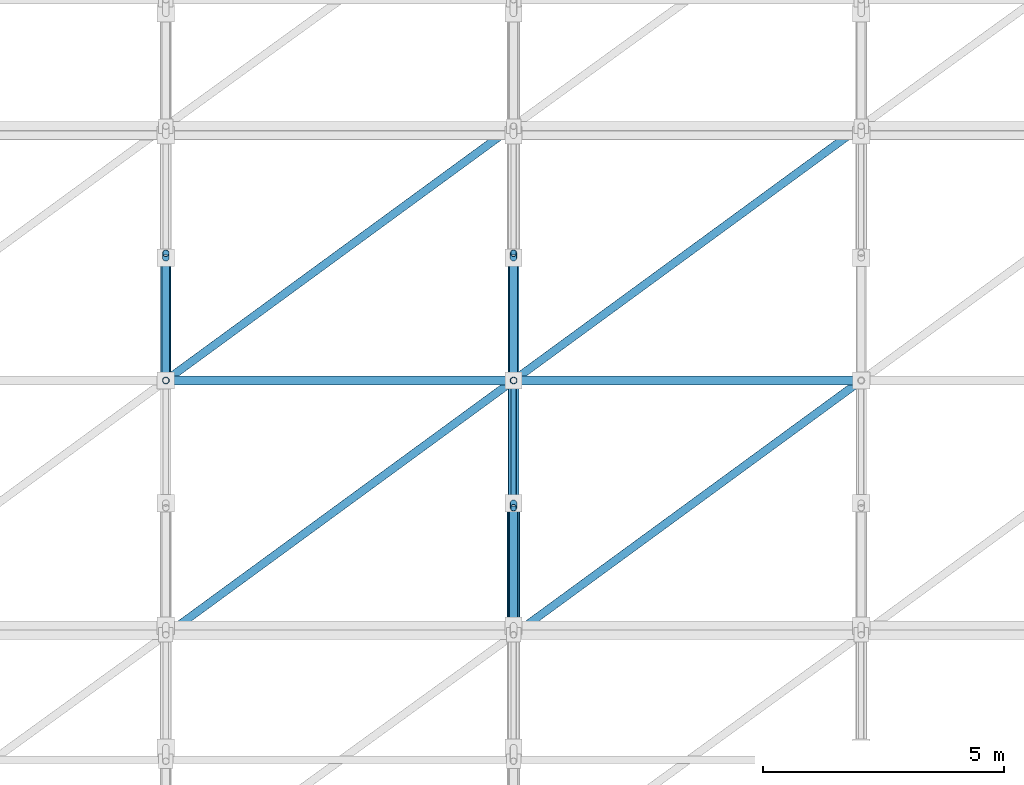
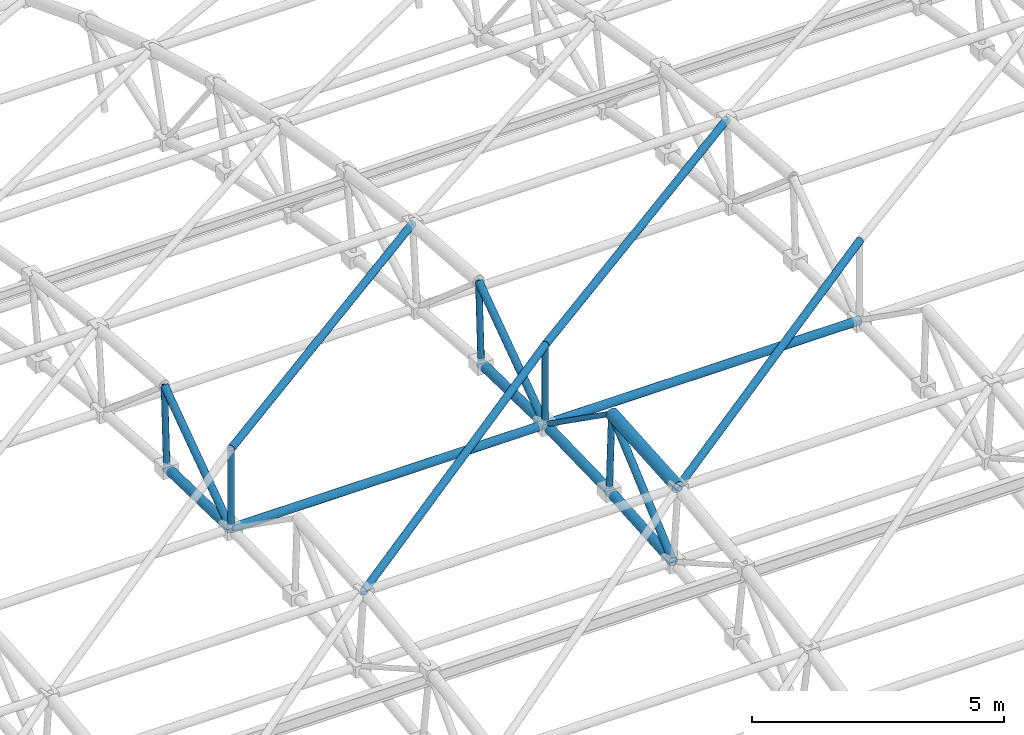
# One storey, part 16 of 41: 20 members.
"""IFC4 building model written with IfcOpenShell, lengths in metres."""

from ifc_helpers import new_model, si_unit, direction, frame, origin, origin_2d, place, context, subcontext, project, spatial, hollow_circle, extrude, material, material_profile, profile_set, type_object, element, save


model = new_model("IFC4")

# Units and contexts
model_context = context("Model", 3, precision=1e-05, world=origin(), true_north=direction((0.0, 1.0)))
body_context = subcontext(model_context, "Body", "Model", "MODEL_VIEW")
ifc_project = project(units=[si_unit("LENGTHUNIT", "METRE"), si_unit("AREAUNIT", "SQUARE_METRE"), si_unit("VOLUMEUNIT", "CUBIC_METRE"), si_unit("PLANEANGLEUNIT", "RADIAN"), si_unit("MASSUNIT", "GRAM", prefix="KILO")], contexts=[model_context])

# Site, building, storey
site_placement = place(None, origin())
site = spatial("IfcSite", under=ifc_project, at=site_placement, CompositionType="ELEMENT")
building_placement = place(site_placement, origin())
building = spatial("IfcBuilding", under=site, at=building_placement, Name="Malvenik Polytechnic", CompositionType="ELEMENT")
storey_placement = place(building_placement, frame((0.0, 0.0, 17.699951171875)))
storey = spatial("IfcBuildingStorey", under=building, at=storey_placement, Name="L04", CompositionType="ELEMENT", Elevation=17.699951171875)

# Members
ifc_material = material(Name="Steel S355J2H", Category="steel")
ifc_material_profile_1 = material_profile(ifc_material, hollow_circle(Radius=0.109619140625, WallThickness=0.010009765625, at=origin_2d()), Name="CHS 219.1x10.0")
ifc_profile_set_1 = profile_set([ifc_material_profile_1], Name="Steel S355J2H")
member_type_1 = type_object("IfcMemberType", Name="STR-MEM-SFB-02", PredefinedType="CHORD", material=ifc_profile_set_1)
for number, where, z_axis, x_axis, name in (
    (1, (156.0, 59.72509765625, 2.155517578125), (0.0, 0.997310938626, 0.073286367738), (-1.0, 0.0, 0.0), "Space-Frame Tube SFB-02 STR-SF-BC-0312"),
    (2, (156.0, 62.261474609375, 2.341796875), (0.0, 0.999700798264, 0.024460456869), (-1.0, 0.0, 0.0), "Space-Frame Tube SFB-02 STR-SF-BC-0314"),
):
    element("IfcMember", number, at=place(storey_placement, frame(where, z_axis=z_axis, x_axis=x_axis)), inside=storey, type_object=member_type_1, Name=name, PredefinedType="CHORD", context=body_context, shape_type="SweptSolid", body=[
        extrude(hollow_circle(Radius=0.109619140625, WallThickness=0.010009765625, at=origin_2d()), origin(), (0.0, 0.0, 1.0), 2.53515625),
    ])
member_1_placement = place(storey_placement, frame((156.0, 64.803955078125, 2.40380859375), z_axis=(0.0, 0.999700855874, -0.024458102234), x_axis=(-1.0, 0.0, 0.0)))
element("IfcMember", 3, at=member_1_placement, inside=storey, type_object=member_type_1, Name="Space-Frame Tube SFB-02 STR-SF-BC-0316", PredefinedType="CHORD", context=body_context, shape_type="SweptSolid", body=[
    extrude(hollow_circle(Radius=0.109619140625, WallThickness=0.010009765625, at=origin_2d()), origin(), (0.0, 0.0, 1.0), 2.535400390625),
])
ifc_material_profile_2 = material_profile(ifc_material, hollow_circle(Radius=0.109619140625, WallThickness=0.008056640625, at=origin_2d()), Name="CHS 219.1x8.0")
ifc_profile_set_2 = profile_set([ifc_material_profile_2], Name="Steel S355J2H")
member_type_2 = type_object("IfcMemberType", Name="STR-MEM-SFB-03", PredefinedType="CHORD", material=ifc_profile_set_2)
member_2_placement = place(storey_placement, frame((148.800048828125, 64.803955078125, 2.40380859375), z_axis=(0.0, 0.999700855874, -0.024458102234), x_axis=(-1.0, 0.0, 0.0)))
element("IfcMember", 4, at=member_2_placement, inside=storey, type_object=member_type_2, Name="Space-Frame Tube SFB-03 STR-SF-BC-0219", PredefinedType="CHORD", context=body_context, shape_type="SweptSolid", body=[
    extrude(hollow_circle(Radius=0.109619140625, WallThickness=0.008056640625, at=origin_2d()), origin(), (0.0, 0.0, 1.0), 2.535400390625),
])
ifc_material_profile_3 = material_profile(ifc_material, hollow_circle(Radius=0.084228515625, WallThickness=0.00634765625, at=origin_2d()), Name="CHS 168.3x6.3")
ifc_profile_set_3 = profile_set([ifc_material_profile_3], Name="Steel S355J2H")
member_type_3 = type_object("IfcMemberType", Name="STR-MEM-SFD-02", PredefinedType="BRACE", material=ifc_profile_set_3)
for number, where, z_axis, x_axis, name in (
    (5, (148.800048828125, 64.80322265625, 2.40625), (0.0, 0.817091860907, 0.576507494175), (-1.0, 0.0, 0.0), "Space-Frame Tube SFD-02 STR-SF-AD-0280"),
    (6, (156.0, 59.72412109375, 2.157958984375), (0.0, 0.756869052153, 0.653566552), (-1.0, 0.0, 0.0), "Space-Frame Tube SFD-02 STR-SF-AD-0375"),
    (7, (156.0, 64.80322265625, 2.40625), (0.0, 0.817091860907, 0.576507494175), (-1.0, 0.0, 0.0), "Space-Frame Tube SFD-02 STR-SF-AD-0377"),
):
    element("IfcMember", number, at=place(storey_placement, frame(where, z_axis=z_axis, x_axis=x_axis)), inside=storey, type_object=member_type_3, Name=name, PredefinedType="BRACE", context=body_context, shape_type="SweptSolid", body=[
        extrude(hollow_circle(Radius=0.084228515625, WallThickness=0.00634765625, at=origin_2d()), origin(), (0.0, 0.0, 1.0), 3.218994140625),
    ])
for number, where, z_axis, x_axis, name in (
    (8, (148.80322265625, 59.535400390625, 4.071044921875), (0.806768013469, 0.590160453498, 0.028913864661), (-0.590407298766, 0.807105458762, 0.0), "Space-Frame Tube SFD-02 STR-SF-SD-0892"),
    (9, (148.80322265625, 64.802490234375, 4.328857421875), (0.806768013469, 0.590160453498, -0.028913864661), (-0.590407298766, 0.807105458762, 0.0), "Space-Frame Tube SFD-02 STR-SF-SD-0893"),
    (10, (156.003173828125, 59.535400390625, 4.071044921875), (0.806768013469, 0.590160453498, 0.028913864661), (-0.590407298766, 0.807105458762, 0.0), "Space-Frame Tube SFD-02 STR-SF-SD-0934"),
    (11, (156.003173828125, 64.802490234375, 4.328857421875), (0.806768013469, 0.590160453498, -0.028913864661), (-0.590407298766, 0.807105458762, 0.0), "Space-Frame Tube SFD-02 STR-SF-SD-0935"),
):
    element("IfcMember", number, at=place(storey_placement, frame(where, z_axis=z_axis, x_axis=x_axis)), inside=storey, type_object=member_type_3, Name=name, PredefinedType="BRACE", context=body_context, shape_type="SweptSolid", body=[
        extrude(hollow_circle(Radius=0.084228515625, WallThickness=0.00634765625, at=origin_2d()), origin(), (0.0, 0.0, 1.0), 8.91650390625),
    ])
ifc_material_profile_4 = material_profile(ifc_material, hollow_circle(Radius=0.06982421875, WallThickness=0.00634765625, at=origin_2d()), Name="CHS 139.7x6.3")
ifc_profile_set_4 = profile_set([ifc_material_profile_4], Name="Steel S355J2H")
member_type_4 = type_object("IfcMemberType", Name="STR-MEM-SFD-03", PredefinedType="BRACE", material=ifc_profile_set_4)
member_3_placement = place(storey_placement, frame((148.800048828125, 64.800048828125, 2.407958984375), z_axis=(0.0, 0.0, 1.0), x_axis=(1.0, 0.0, 0.0)))
element("IfcMember", 12, at=member_3_placement, inside=storey, type_object=member_type_4, Name="Space-Frame Tube SFD-03 STR-SF-WB-0255", PredefinedType="BRACE", context=body_context, shape_type="SweptSolid", body=[
    extrude(hollow_circle(Radius=0.06982421875, WallThickness=0.00634765625, at=origin_2d()), origin(), (0.0, 0.0, 1.0), 1.9169921875),
])
for number, where, z_axis, x_axis, name in (
    (13, (148.800048828125, 67.3427734375, 2.345703125), (0.0, 0.048908499501, 0.998803263249), (-1.0, 0.0, 0.0), "Space-Frame Tube SFD-03 STR-SF-WB-0256"),
    (14, (156.0, 62.257080078125, 2.345703125), (0.0, -0.048781437095, 0.998809477025), (1.0, 0.0, 0.0), "Space-Frame Tube SFD-03 STR-SF-WB-0351"),
):
    element("IfcMember", number, at=place(storey_placement, frame(where, z_axis=z_axis, x_axis=x_axis)), inside=storey, type_object=member_type_4, Name=name, PredefinedType="BRACE", context=body_context, shape_type="SweptSolid", body=[
        extrude(hollow_circle(Radius=0.06982421875, WallThickness=0.00634765625, at=origin_2d()), origin(), (0.0, 0.0, 1.0), 1.916748046875),
    ])
member_4_placement = place(storey_placement, frame((156.0, 64.800048828125, 2.407958984375), z_axis=(0.0, 0.0, 1.0), x_axis=(1.0, 0.0, 0.0)))
element("IfcMember", 15, at=member_4_placement, inside=storey, type_object=member_type_4, Name="Space-Frame Tube SFD-03 STR-SF-WB-0352", PredefinedType="BRACE", context=body_context, shape_type="SweptSolid", body=[
    extrude(hollow_circle(Radius=0.06982421875, WallThickness=0.00634765625, at=origin_2d()), origin(), (0.0, 0.0, 1.0), 1.9169921875),
])
member_5_placement = place(storey_placement, frame((156.0, 67.3427734375, 2.345703125), z_axis=(0.0, 0.048908499501, 0.998803263249), x_axis=(-1.0, 0.0, 0.0)))
element("IfcMember", 16, at=member_5_placement, inside=storey, type_object=member_type_4, Name="Space-Frame Tube SFD-03 STR-SF-WB-0353", PredefinedType="BRACE", context=body_context, shape_type="SweptSolid", body=[
    extrude(hollow_circle(Radius=0.06982421875, WallThickness=0.00634765625, at=origin_2d()), origin(), (0.0, 0.0, 1.0), 1.916748046875),
])
ifc_material_profile_5 = material_profile(ifc_material, hollow_circle(Radius=0.05712890625, WallThickness=0.0048828125, at=origin_2d()), Name="CHS 114.3x5.0")
ifc_profile_set_5 = profile_set([ifc_material_profile_5], Name="Steel S355J2H")
member_type_5 = type_object("IfcMemberType", Name="STR-MEM-SFD-04", PredefinedType="BRACE", material=ifc_profile_set_5)
member_6_placement = place(storey_placement, frame((156.0, 62.16650390625, 4.261962890625), z_axis=(0.0, 0.817091860907, -0.576507494175), x_axis=(-1.0, 0.0, 0.0)))
element("IfcMember", 17, at=member_6_placement, inside=storey, type_object=member_type_5, Name="Space-Frame Tube SFD-04 STR-SF-AD-0376", PredefinedType="BRACE", context=body_context, shape_type="SweptSolid", body=[
    extrude(hollow_circle(Radius=0.05712890625, WallThickness=0.0048828125, at=origin_2d()), origin(), (0.0, 0.0, 1.0), 3.218994140625),
])
ifc_material_profile_6 = material_profile(ifc_material, hollow_circle(Radius=0.096923828125, WallThickness=0.008056640625, at=origin_2d()), Name="CHS 193.7x8.0")
ifc_profile_set_6 = profile_set([ifc_material_profile_6], Name="Steel S355J2H")
member_type_6 = type_object("IfcMemberType", Name="STR-MEM-SFL-01", PredefinedType="CHORD", material=ifc_profile_set_6)
for number, where, z_axis, x_axis, name in (
    (18, (148.803955078125, 64.800048828125, 2.40380859375), (1.0, 0.0, 0.0), (0.0, 1.0, 0.0), "Space-Frame Tube SFL-01 STR-SF-LB-0873"),
    (19, (156.00390625, 64.800048828125, 2.40380859375), (1.0, 0.0, 0.0), (0.0, 1.0, 0.0), "Space-Frame Tube SFL-01 STR-SF-LB-0915"),
):
    element("IfcMember", number, at=place(storey_placement, frame(where, z_axis=z_axis, x_axis=x_axis)), inside=storey, type_object=member_type_6, Name=name, PredefinedType="CHORD", context=body_context, shape_type="SweptSolid", body=[
        extrude(hollow_circle(Radius=0.096923828125, WallThickness=0.008056640625, at=origin_2d()), origin(), (0.0, 0.0, 1.0), 7.192138671875),
    ])
ifc_material_profile_7 = material_profile(ifc_material, hollow_circle(Radius=0.136474609375, WallThickness=0.012451171875, at=origin_2d()), Name="CHS 273.0x12.5")
ifc_profile_set_7 = profile_set([ifc_material_profile_7], Name="Steel S355J2H")
member_type_7 = type_object("IfcMemberType", Name="STR-MEM-SFT-02", PredefinedType="CHORD", material=ifc_profile_set_7)
member_7_placement = place(storey_placement, frame((156.0, 59.537109375, 4.0712890625), z_axis=(0.0, 0.997305627523, 0.073358607611), x_axis=(-1.0, 0.0, 0.0)))
element("IfcMember", 20, at=member_7_placement, inside=storey, type_object=member_type_7, Name="Space-Frame Tube SFT-02 STR-SF-TC-0313", PredefinedType="CHORD", context=body_context, shape_type="SweptSolid", body=[
    extrude(hollow_circle(Radius=0.136474609375, WallThickness=0.012451171875, at=origin_2d()), origin(), (0.0, 0.0, 1.0), 2.629150390625),
])

save(model, "model.ifc")
